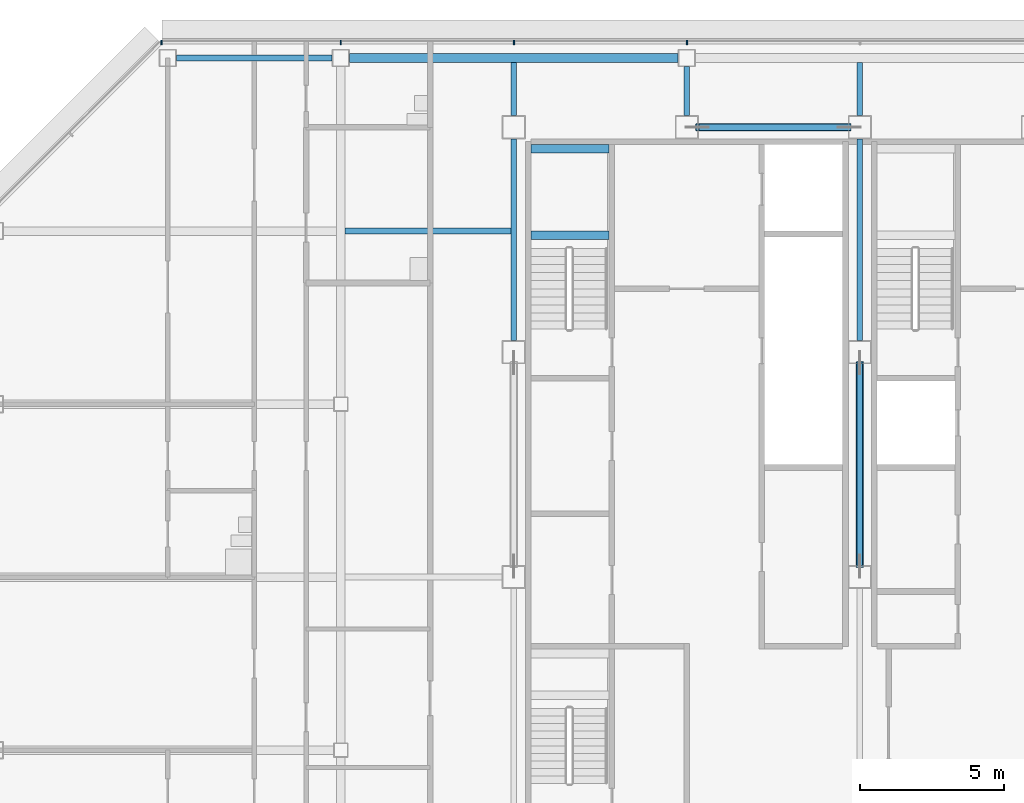
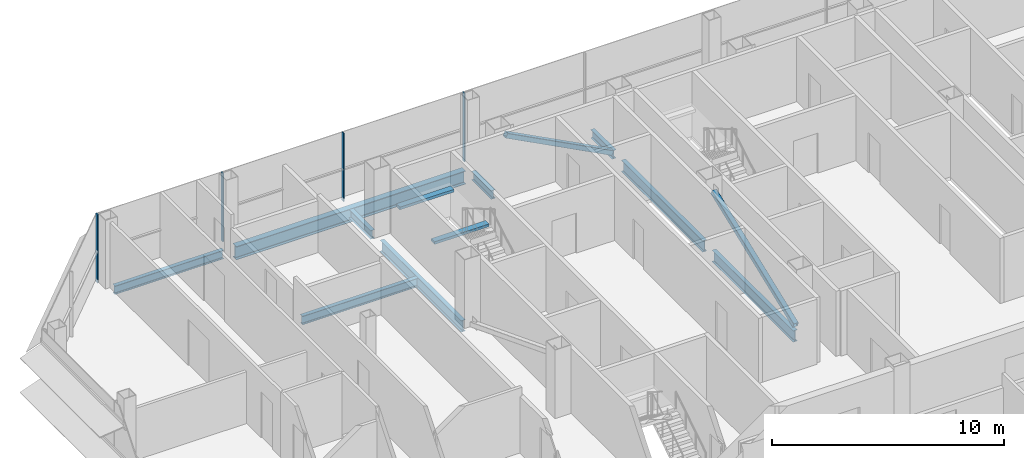
# One storey, part 13 of 28: 11 beams, 6 members, 1 element without a shape of its own.
"""IFC4 building model written with IfcOpenShell, lengths in metres."""

from ifc_helpers import new_model, si_unit, direction, frame, origin, origin_2d, place, context, subcontext, project, spatial, rectangle, hollow_rectangle, i_section, extrude, material, material_profile, profile_set, type_object, element, aggregate, save


model = new_model("IFC4")

# Units and contexts
model_context = context("Model", 3, precision=1e-05, world=origin(), true_north=direction((0.0, 1.0)))
body_context = subcontext(model_context, "Body", "Model", "MODEL_VIEW")
ifc_project = project(units=[si_unit("LENGTHUNIT", "METRE"), si_unit("AREAUNIT", "SQUARE_METRE"), si_unit("VOLUMEUNIT", "CUBIC_METRE"), si_unit("PLANEANGLEUNIT", "RADIAN"), si_unit("MASSUNIT", "GRAM", prefix="KILO")], contexts=[model_context])

# Site, building, storey
site_placement = place(None, origin())
site = spatial("IfcSite", under=ifc_project, at=site_placement, CompositionType="ELEMENT")
building_placement = place(site_placement, origin())
building = spatial("IfcBuilding", under=site, at=building_placement, Name="Sorahane Residences", CompositionType="ELEMENT")
storey_placement = place(building_placement, frame((0.0, 0.0, 266.60009765625)))
storey = spatial("IfcBuildingStorey", under=building, at=storey_placement, Name="L63", CompositionType="ELEMENT", Elevation=266.60009765625)

# Members
ifc_material_1 = material(Name="Steel Q355B", Category="steel")
ifc_material_profile_1 = material_profile(ifc_material_1, hollow_rectangle(XDim=0.25, YDim=0.25, WallThickness=0.013916015625, InnerFilletRadius=0.007080078125, OuterFilletRadius=0.02099609375, at=origin_2d()), Name="RHS 250x250x14")
ifc_profile_set_1 = profile_set([ifc_material_profile_1], Name="Steel Q355B")
member_type_1 = type_object("IfcMemberType", Name="Core brace RHS 250x250x14 Q355B", PredefinedType="BRACE", material=ifc_profile_set_1)
member_1_placement = place(storey_placement, frame((17.634765625, 45.60009765625, 0.106689453125), z_axis=(-0.886099769192, 0.0, 0.46349455125), x_axis=(0.0, -1.0, 0.0)))
element("IfcMember", 1, at=member_1_placement, inside=storey, type_object=member_type_1, Name="Core brace L63 y45.6-2", PredefinedType="BRACE", context=body_context, shape_type="SweptSolid", body=[
    extrude(hollow_rectangle(XDim=0.25, YDim=0.25, WallThickness=0.013916015625, InnerFilletRadius=0.007080078125, OuterFilletRadius=0.02099609375, at=origin_2d()), origin(), (0.0, 0.0, 1.0), 5.94677734375),
])
member_2_placement = place(storey_placement, frame((18.0, 30.372802734375, 0.1142578125), z_axis=(0.0, 0.932102104456, 0.362195619617), x_axis=(-1.0, 0.0, 0.0)))
element("IfcMember", 2, at=member_2_placement, inside=storey, type_object=member_type_1, Name="Core brace L63 x18-1", PredefinedType="BRACE", context=body_context, shape_type="SweptSolid", body=[
    extrude(hollow_rectangle(XDim=0.25, YDim=0.25, WallThickness=0.013916015625, InnerFilletRadius=0.007080078125, OuterFilletRadius=0.02099609375, at=origin_2d()), origin(), (0.0, 0.0, 1.0), 7.568359375),
])

# Curtain wall, members
ifc_material_2 = material(Name="Dark low-e glass and black anodised aluminium", Category="aluminium")
curtain_wall_type = type_object("IfcCurtainWallType", Name="Curtain wall CW-1 Typical unitised wall", PredefinedType="NOTDEFINED", material=ifc_material_2)
curtain_wall_placement = place(storey_placement, origin())
curtain_wall = element("IfcCurtainWall", 3, at=curtain_wall_placement, inside=storey, type_object=curtain_wall_type, Name="CW-1 curtain wall L63 N1", PredefinedType="NOTDEFINED")
ifc_material_3 = material(Name="Black anodised aluminium", Category="aluminium")
ifc_material_profile_2 = material_profile(ifc_material_3, rectangle(XDim=0.159912109375, YDim=0.050048828125, at=origin_2d()), Name="Curtain wall mullion CW-1 black anodised aluminium 50x160")
ifc_profile_set_2 = profile_set([ifc_material_profile_2], Name="Black anodised aluminium")
member_type_2 = type_object("IfcMemberType", Name="Curtain wall mullion CW-1 black anodised aluminium 50x160", PredefinedType="MULLION", material=ifc_profile_set_2)
member_3_placement = place(storey_placement, frame((12.0, 48.5400390625, -0.18017578125), z_axis=(0.0, 0.0, 1.0), x_axis=(0.0, 1.0, 0.0)))
member_3 = element("IfcMember", 4, at=member_3_placement, type_object=member_type_2, Name="CW-1 mullion L63 N1.7", PredefinedType="MULLION", context=body_context, shape_type="SweptSolid", body=[
    extrude(rectangle(XDim=0.159912109375, YDim=0.050048828125, at=origin_2d()), origin(), (0.0, 0.0, 1.0), 3.60009765625),
])
member_4_placement = place(storey_placement, frame((6.0, 48.5400390625, -0.18017578125), z_axis=(0.0, 0.0, 1.0), x_axis=(0.0, 1.0, 0.0)))
member_4 = element("IfcMember", 5, at=member_4_placement, type_object=member_type_2, Name="CW-1 mullion L63 N1.8", PredefinedType="MULLION", context=body_context, shape_type="SweptSolid", body=[
    extrude(rectangle(XDim=0.159912109375, YDim=0.050048828125, at=origin_2d()), origin(), (0.0, 0.0, 1.0), 3.60009765625),
])
member_5_placement = place(storey_placement, frame((0.0, 48.5400390625, -0.18017578125), z_axis=(0.0, 0.0, 1.0), x_axis=(0.0, 1.0, 0.0)))
member_5 = element("IfcMember", 6, at=member_5_placement, type_object=member_type_2, Name="CW-1 mullion L63 N1.9", PredefinedType="MULLION", context=body_context, shape_type="SweptSolid", body=[
    extrude(rectangle(XDim=0.159912109375, YDim=0.050048828125, at=origin_2d()), origin(), (0.0, 0.0, 1.0), 3.60009765625),
])
member_6_placement = place(storey_placement, frame((-6.2236328125, 48.5400390625, -0.18017578125), z_axis=(0.0, 0.0, 1.0), x_axis=(0.0, 1.0, 0.0)))
member_6 = element("IfcMember", 7, at=member_6_placement, type_object=member_type_2, Name="CW-1 mullion L63 N1.10", PredefinedType="MULLION", context=body_context, shape_type="SweptSolid", body=[
    extrude(rectangle(XDim=0.159912109375, YDim=0.050048828125, at=origin_2d()), origin(), (0.0, 0.0, 1.0), 3.60009765625),
])
aggregate(curtain_wall, [member_3, member_4, member_5, member_6])

# Beams
ifc_material_4 = material(Name="Concrete C40", Category="concrete")
ifc_material_profile_3 = material_profile(ifc_material_4, rectangle(XDim=0.300048828125, YDim=0.139892578125, at=origin_2d()), Name="300x140")
ifc_profile_set_3 = profile_set([ifc_material_profile_3], Name="Concrete C40")
beam_type_1 = type_object("IfcBeamType", Name="RC landing beam 300 x 140 Concrete C40", PredefinedType="BEAM", material=ifc_profile_set_3)
for number, where, z_axis, x_axis, name in (
    (8, (6.60009765625, 41.85009765625, 1.52978515625), (1.0, 0.0, 0.0), (0.0, 1.0, 0.0), "Landing beam"),
    (9, (6.60009765625, 44.85009765625, 1.52978515625), (1.0, 0.0, 0.0), (0.0, 1.0, 0.0), "Landing beam"),
):
    element("IfcBeam", number, at=place(storey_placement, frame(where, z_axis=z_axis, x_axis=x_axis)), inside=storey, type_object=beam_type_1, Name=name, PredefinedType="BEAM", context=body_context, shape_type="SweptSolid", body=[
        extrude(rectangle(XDim=0.300048828125, YDim=0.139892578125, at=origin_2d()), origin(), (0.0, 0.0, 1.0), 2.699951171875),
    ])
ifc_material_5 = material(Name="Steel Q355B", Category="steel")
ifc_material_profile_4 = material_profile(ifc_material_5, i_section(OverallWidth=0.199951171875, OverallDepth=0.449951171875, WebThickness=0.009033203125, FlangeThickness=0.013916015625, FilletRadius=0.02001953125, at=origin_2d()), Name="HN 450x200x9x14")
ifc_profile_set_4 = profile_set([ifc_material_profile_4], Name="Steel Q355B")
beam_type_2 = type_object("IfcBeamType", Name="Steel floor beam HN 450x200x9x14 Q355B", PredefinedType="BEAM", material=ifc_profile_set_4)
beam_1_placement = place(storey_placement, frame((-5.699951171875, 48.0, -0.405029296875), z_axis=(1.0, 0.0, 0.0), x_axis=(0.0, 1.0, 0.0)))
element("IfcBeam", 10, at=beam_1_placement, inside=storey, type_object=beam_type_2, Name="Beam L63 015", PredefinedType="BEAM", context=body_context, shape_type="SweptSolid", body=[
    extrude(i_section(OverallWidth=0.199951171875, OverallDepth=0.449951171875, WebThickness=0.009033203125, FlangeThickness=0.013916015625, FilletRadius=0.02001953125, at=origin_2d()), origin(), (0.0, 0.0, 1.0), 5.39990234375),
])
beam_2_placement = place(storey_placement, frame((6.0, 46.0, -0.405029296875), z_axis=(0.0, 1.0, 0.0), x_axis=(-1.0, 0.0, 0.0)))
element("IfcBeam", 11, at=beam_2_placement, inside=storey, type_object=beam_type_2, Name="Beam L63 033", PredefinedType="BEAM", context=body_context, shape_type="SweptSolid", body=[
    extrude(i_section(OverallWidth=0.199951171875, OverallDepth=0.449951171875, WebThickness=0.009033203125, FlangeThickness=0.013916015625, FilletRadius=0.02001953125, at=origin_2d()), origin(), (0.0, 0.0, 1.0), 1.85009765625),
])
beam_3_placement = place(storey_placement, frame((12.0, 46.0, -0.405029296875), z_axis=(0.0, 1.0, 0.0), x_axis=(-1.0, 0.0, 0.0)))
element("IfcBeam", 12, at=beam_3_placement, inside=storey, type_object=beam_type_2, Name="Beam L63 035", PredefinedType="BEAM", context=body_context, shape_type="SweptSolid", body=[
    extrude(i_section(OverallWidth=0.199951171875, OverallDepth=0.449951171875, WebThickness=0.009033203125, FlangeThickness=0.013916015625, FilletRadius=0.02001953125, at=origin_2d()), origin(), (0.0, 0.0, 1.0), 1.699951171875),
])
beam_4_placement = place(storey_placement, frame((18.0, 46.0, -0.405029296875), z_axis=(0.0, 1.0, 0.0), x_axis=(-1.0, 0.0, 0.0)))
element("IfcBeam", 13, at=beam_4_placement, inside=storey, type_object=beam_type_2, Name="Beam L63 041", PredefinedType="BEAM", context=body_context, shape_type="SweptSolid", body=[
    extrude(i_section(OverallWidth=0.199951171875, OverallDepth=0.449951171875, WebThickness=0.009033203125, FlangeThickness=0.013916015625, FilletRadius=0.02001953125, at=origin_2d()), origin(), (0.0, 0.0, 1.0), 1.85009765625),
])
beam_5_placement = place(storey_placement, frame((0.14990234375, 42.0, -0.405029296875), z_axis=(1.0, 0.0, 0.0), x_axis=(0.0, 1.0, 0.0)))
element("IfcBeam", 14, at=beam_5_placement, inside=storey, type_object=beam_type_2, Name="Beam L63 090", PredefinedType="BEAM", context=body_context, shape_type="SweptSolid", body=[
    extrude(i_section(OverallWidth=0.199951171875, OverallDepth=0.449951171875, WebThickness=0.009033203125, FlangeThickness=0.013916015625, FilletRadius=0.02001953125, at=origin_2d()), origin(), (0.0, 0.0, 1.0), 5.75),
])
ifc_material_6 = material(Name="Steel Q355B", Category="steel")
ifc_material_profile_5 = material_profile(ifc_material_6, i_section(OverallWidth=0.199951171875, OverallDepth=0.60009765625, WebThickness=0.010986328125, FlangeThickness=0.01708984375, FilletRadius=0.02392578125, at=origin_2d()), Name="HN 600x200x11x17")
ifc_profile_set_5 = profile_set([ifc_material_profile_5], Name="Steel Q355B")
beam_type_3 = type_object("IfcBeamType", Name="Steel floor beam HN 600x200x11x17 Q355B", PredefinedType="BEAM", material=ifc_profile_set_5)
for number, where, z_axis, x_axis, name in (
    (15, (6.0, 38.199951171875, -0.47998046875), (0.0, 1.0, 0.0), (-1.0, 0.0, 0.0), "Beam L63 032"),
    (16, (18.0, 30.39990234375, -0.47998046875), (0.0, 1.0, 0.0), (-1.0, 0.0, 0.0), "Beam L63 039"),
    (17, (18.0, 38.199951171875, -0.47998046875), (0.0, 1.0, 0.0), (-1.0, 0.0, 0.0), "Beam L63 040"),
):
    element("IfcBeam", number, at=place(storey_placement, frame(where, z_axis=z_axis, x_axis=x_axis)), inside=storey, type_object=beam_type_3, Name=name, PredefinedType="BEAM", context=body_context, shape_type="SweptSolid", body=[
        extrude(i_section(OverallWidth=0.199951171875, OverallDepth=0.60009765625, WebThickness=0.010986328125, FlangeThickness=0.01708984375, FilletRadius=0.02392578125, at=origin_2d()), origin(), (0.0, 0.0, 1.0), 7.0),
    ])
ifc_material_7 = material(Name="Steel Q355B", Category="steel")
ifc_material_profile_6 = material_profile(ifc_material_7, i_section(OverallWidth=0.300048828125, OverallDepth=0.699951171875, WebThickness=0.012939453125, FlangeThickness=0.02392578125, FilletRadius=0.028076171875, at=origin_2d()), Name="HN 700x300x13x24")
ifc_profile_set_6 = profile_set([ifc_material_profile_6], Name="Steel Q355B")
beam_type_4 = type_object("IfcBeamType", Name="Steel floor beam HN 700x300x13x24 Q355B", PredefinedType="BEAM", material=ifc_profile_set_6)
beam_6_placement = place(storey_placement, frame((0.300048828125, 48.0, -0.530029296875), z_axis=(1.0, 0.0, 0.0), x_axis=(0.0, 1.0, 0.0)))
element("IfcBeam", 18, at=beam_6_placement, inside=storey, type_object=beam_type_4, Name="Beam L63 016", PredefinedType="BEAM", context=body_context, shape_type="SweptSolid", body=[
    extrude(i_section(OverallWidth=0.300048828125, OverallDepth=0.699951171875, WebThickness=0.012939453125, FlangeThickness=0.02392578125, FilletRadius=0.028076171875, at=origin_2d()), origin(), (0.0, 0.0, 1.0), 11.39990234375),
])

save(model, "model.ifc")
